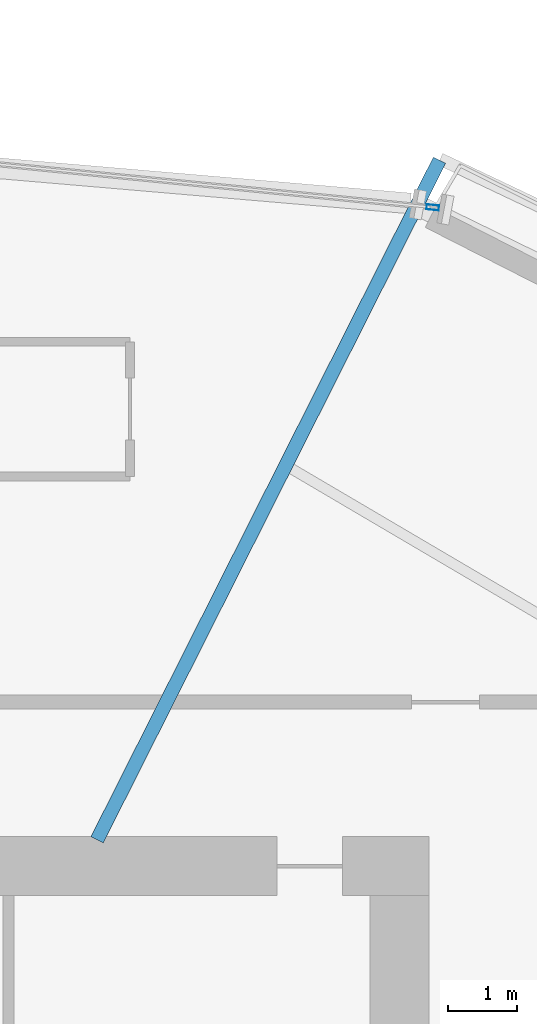
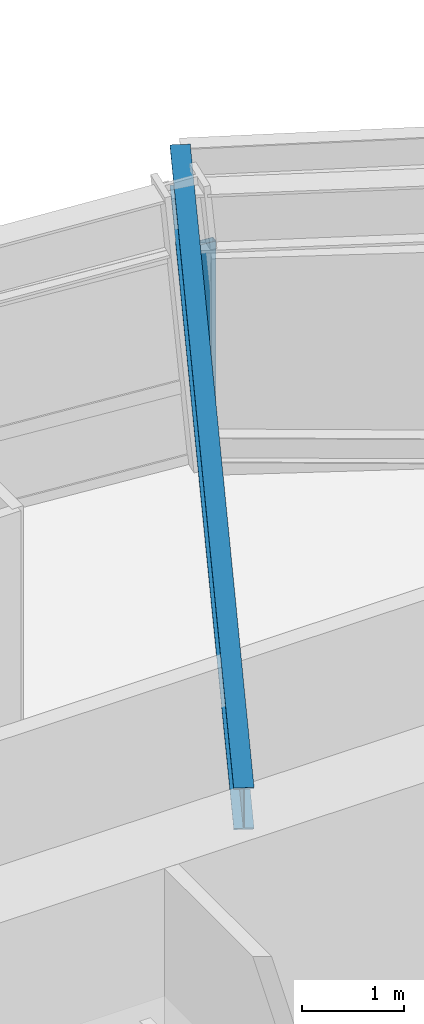
# One storey, part 11 of 24: 1 beam, 1 member, 1 element without a shape of its own.
"""IFC4 building model written with IfcOpenShell, lengths in metres."""

from ifc_helpers import new_model, si_unit, direction, frame, origin, origin_2d, place, context, subcontext, project, spatial, hollow_rectangle, i_section, extrude, source, transform, mapped, material, material_profile, profile_set, type_object, element, aggregate, save


model = new_model("IFC4")

# Units and contexts
model_context = context("Model", 3, precision=1e-05, world=origin(), true_north=direction((0.0, 1.0)))
body_context = subcontext(model_context, "Body", "Model", "MODEL_VIEW")
ifc_project = project(units=[si_unit("LENGTHUNIT", "METRE"), si_unit("AREAUNIT", "SQUARE_METRE"), si_unit("VOLUMEUNIT", "CUBIC_METRE"), si_unit("PLANEANGLEUNIT", "RADIAN"), si_unit("MASSUNIT", "GRAM", prefix="KILO")], contexts=[model_context])

# Site, building, storey
site_placement = place(None, origin())
site = spatial("IfcSite", under=ifc_project, at=site_placement, CompositionType="ELEMENT")
building_placement = place(site_placement, origin())
building = spatial("IfcBuilding", under=site, at=building_placement, Name="Olszyna Solenne Hotel", CompositionType="ELEMENT")
storey_placement = place(building_placement, frame((0.0, 0.0, 64.800048828125)))
storey = spatial("IfcBuildingStorey", under=building, at=storey_placement, Name="L16", CompositionType="ELEMENT", Elevation=64.800048828125)

# Beam
ifc_material_1 = material(Name="Steel S355J2", Category="steel")
ifc_material_profile_1 = material_profile(ifc_material_1, i_section(OverallWidth=0.199951171875, OverallDepth=0.5, WebThickness=0.01025390625, FlangeThickness=0.01611328125, at=origin_2d()), Name="IPE 500", Category="load-bearing")
ifc_profile_set_1 = profile_set([ifc_material_profile_1], Name="Steel S355J2")
beam_type = type_object("IfcBeamType", Name="BM-F3", PredefinedType="BEAM", material=ifc_profile_set_1)
shared_shape_1 = source(origin(), body_context, "Body", "SweptSolid", [
    extrude(i_section(OverallWidth=0.199951171875, OverallDepth=0.5, WebThickness=0.01025390625, FlangeThickness=0.01611328125, at=origin_2d()), origin(), (0.0, 0.0, 1.0), 11.019775390625),
])
beam_placement = place(storey_placement, frame((46.90478515625, 44.346435546875, 3.050048828125), z_axis=(-0.450002888725, -0.893027099331, 0.0), x_axis=(0.893027099331, -0.450002888725, 0.0)))
element("IfcBeam", 1, at=beam_placement, inside=storey, type_object=beam_type, Name="Radial floor girder BM-F3 B-L16-0509", PredefinedType="BEAM", context=body_context, shape_type="MappedRepresentation", body=[
    mapped(shared_shape_1, transform((0.0, 0.0, 0.0), x_axis=(1.0, 0.0, 0.0), y_axis=(0.0, 1.0, 0.0), z_axis=(0.0, 0.0, 1.0), scale=1.0)),
])

# Curtain wall, member
ifc_material_2 = material(Name="Anodised bronze aluminium", Category="aluminium")
curtain_wall_type = type_object("IfcCurtainWallType", Name="CW-SYS-2", PredefinedType="NOTDEFINED", material=ifc_material_2)
curtain_wall_placement = place(storey_placement, origin())
curtain_wall = element("IfcCurtainWall", 2, at=curtain_wall_placement, inside=storey, type_object=curtain_wall_type, Name="Unitised curtain wall CW-SYS-2 CW-L16-02", PredefinedType="NOTDEFINED")
ifc_material_profile_2 = material_profile(ifc_material_2, hollow_rectangle(XDim=0.074951171875, YDim=0.179931640625, WallThickness=0.00439453125, at=origin_2d()), Name="MULL 180x75x4.5", Category="load-bearing")
ifc_profile_set_2 = profile_set([ifc_material_profile_2], Name="Anodised bronze aluminium")
member_type = type_object("IfcMemberType", Name="CW-M2", PredefinedType="MULLION", material=ifc_profile_set_2)
shared_shape_2 = source(origin(), body_context, "Body", "SweptSolid", [
    extrude(hollow_rectangle(XDim=0.074951171875, YDim=0.179931640625, WallThickness=0.00439453125, at=origin_2d()), origin(), (0.0, 0.0, 1.0), 2.592041015625),
])
member_placement = place(storey_placement, frame((46.806884765625, 43.663330078125, 0.0), z_axis=(0.0, 0.0, 1.0), x_axis=(0.098865083439, 0.995100846787, 0.0)))
member = element("IfcMember", 3, at=member_placement, type_object=member_type, Name="Curtain-wall mullion CW-M2 CM-L16-02-04", PredefinedType="MULLION", context=body_context, shape_type="MappedRepresentation", body=[
    mapped(shared_shape_2, transform((0.0, 0.0, 0.0), x_axis=(1.0, 0.0, 0.0), y_axis=(0.0, 1.0, 0.0), z_axis=(0.0, 0.0, 1.0), scale=1.0)),
])
aggregate(curtain_wall, [member])

save(model, "model.ifc")
